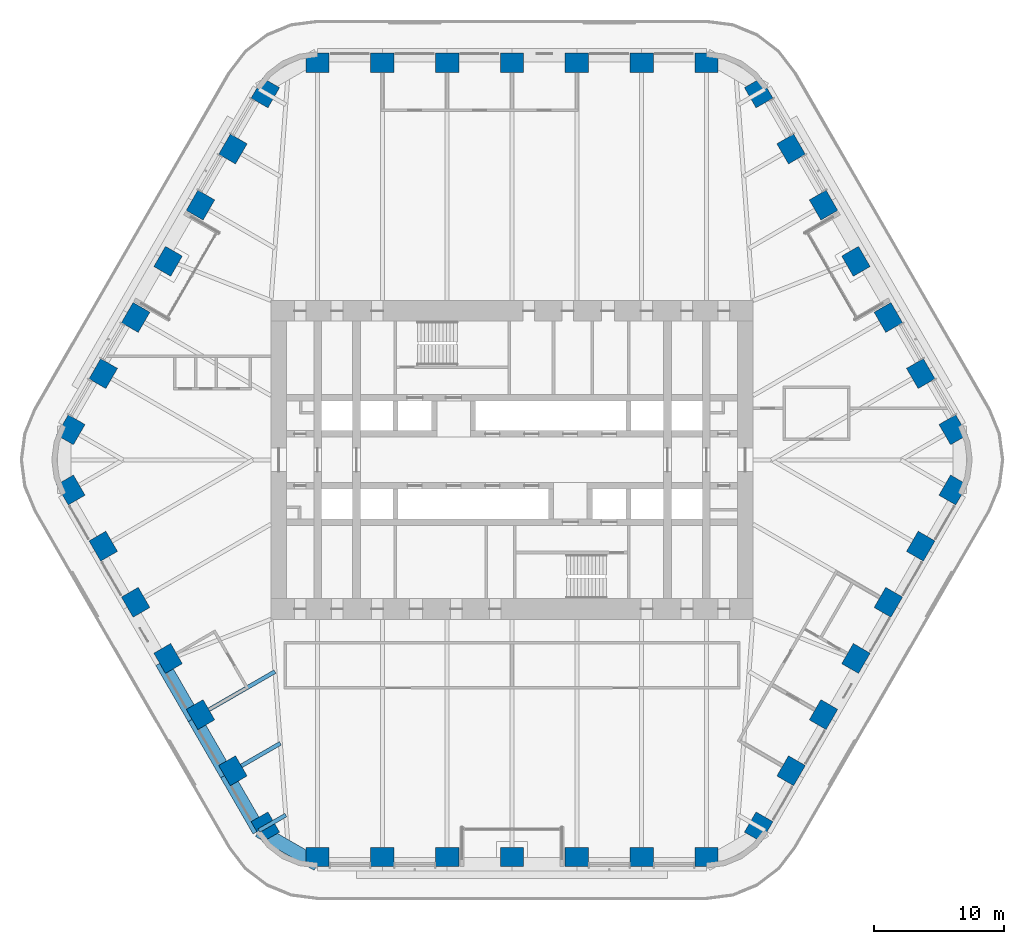
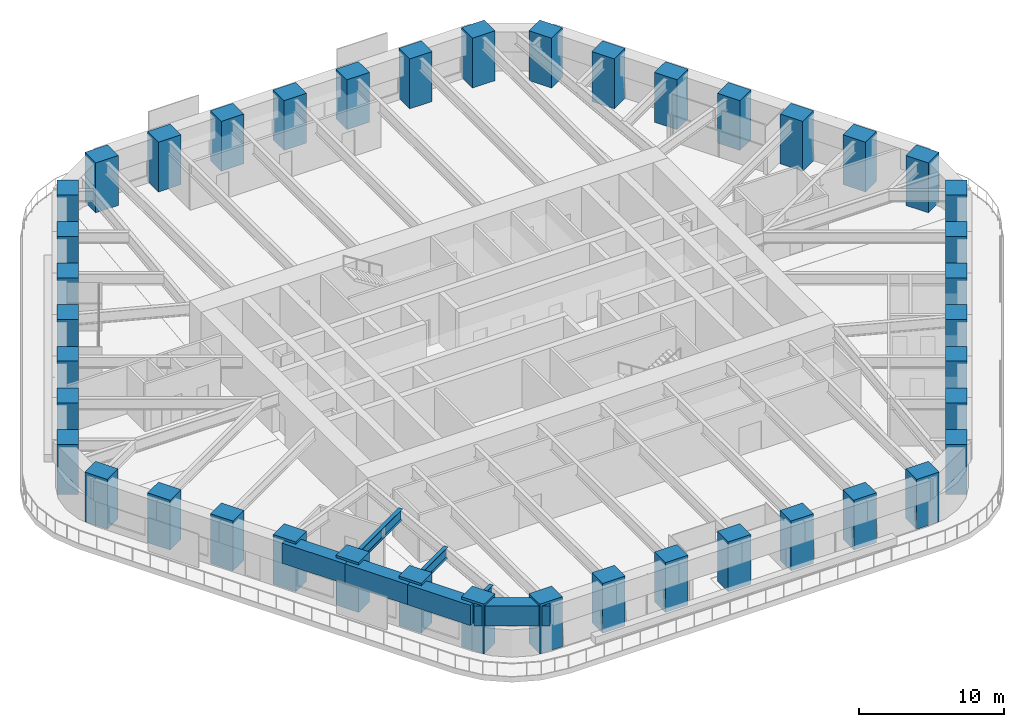
# One storey, part 1 of 24: 42 columns, 7 beams.
"""IFC4 building model written with IfcOpenShell, lengths in metres."""

from ifc_helpers import new_model, si_unit, direction, frame, origin, origin_2d, place, context, subcontext, project, spatial, rectangle, i_section, extrude, material, material_profile, profile_set, type_object, element, save


model = new_model("IFC4")

# Units and contexts
model_context = context("Model", 3, precision=1e-05, world=origin(), true_north=direction((0.0, 1.0)))
body_context = subcontext(model_context, "Body", "Model", "MODEL_VIEW")
ifc_project = project(units=[si_unit("LENGTHUNIT", "METRE"), si_unit("AREAUNIT", "SQUARE_METRE"), si_unit("VOLUMEUNIT", "CUBIC_METRE"), si_unit("PLANEANGLEUNIT", "RADIAN"), si_unit("MASSUNIT", "GRAM", prefix="KILO")], contexts=[model_context])

# Site, building, storey
site_placement = place(None, origin())
site = spatial("IfcSite", under=ifc_project, at=site_placement, CompositionType="ELEMENT")
building_placement = place(site_placement, origin())
building = spatial("IfcBuilding", under=site, at=building_placement, Name="Tarfa Lantern Tower", CompositionType="ELEMENT")
storey_placement = place(building_placement, frame((0.0, 0.0, 127.89990234375)))
storey = spatial("IfcBuildingStorey", under=building, at=storey_placement, Name="L28", CompositionType="ELEMENT", Elevation=127.89990234375)

# Columns
ifc_material_1 = material(Name="Concrete C80/95", Category="concrete")
ifc_material_profile_1 = material_profile(ifc_material_1, rectangle(XDim=1.800048828125, YDim=1.5, at=origin_2d()), Name="RC 1800x1500")
ifc_profile_set_1 = profile_set([ifc_material_profile_1], Name="Concrete C80/95")
column_type = type_object("IfcColumnType", Name="TC5 RC 1800x1500", PredefinedType="COLUMN", material=ifc_profile_set_1)
for number, where, z_axis, x_axis, name in (
    (1, (34.04931640625, 2.324951171875, 0.0), (0.0, 0.0, 1.0), (-0.5, 0.866025403784, 0.0), "Tube column NE0"),
    (2, (31.54736328125, 6.658447265625, 0.0), (0.0, 0.0, 1.0), (-0.5, 0.866025403784, 0.0), "Tube column NE1"),
    (3, (29.04541015625, 10.99169921875, 0.0), (0.0, 0.0, 1.0), (-0.5, 0.866025403784, 0.0), "Tube column NE2"),
    (4, (26.543701171875, 15.324951171875, 0.0), (0.0, 0.0, 1.0), (-0.5, 0.866025403784, 0.0), "Tube column NE3"),
    (5, (24.041748046875, 19.658447265625, 0.0), (0.0, 0.0, 1.0), (-0.5, 0.866025403784, 0.0), "Tube column NE4"),
    (6, (21.5400390625, 23.99169921875, 0.0), (0.0, 0.0, 1.0), (-0.5, 0.866025403784, 0.0), "Tube column NE5"),
    (7, (19.0380859375, 28.324951171875, 0.0), (0.0, 0.0, 1.0), (-0.5, 0.866025403784, 0.0), "Tube column NE6"),
    (8, (15.010986328125, 30.64990234375, 0.0), (0.0, 0.0, 1.0), (-1.0, 0.0, 0.0), "Tube column N0"),
    (9, (10.00732421875, 30.64990234375, 0.0), (0.0, 0.0, 1.0), (-1.0, 0.0, 0.0), "Tube column N1"),
    (10, (5.003662109375, 30.64990234375, 0.0), (0.0, 0.0, 1.0), (-1.0, 0.0, 0.0), "Tube column N2"),
    (11, (0.0, 30.64990234375, 0.0), (0.0, 0.0, 1.0), (-1.0, 0.0, 0.0), "Tube column N3"),
    (12, (-5.003662109375, 30.64990234375, 0.0), (0.0, 0.0, 1.0), (-1.0, 0.0, 0.0), "Tube column N4"),
    (13, (-10.00732421875, 30.64990234375, 0.0), (0.0, 0.0, 1.0), (-1.0, 0.0, 0.0), "Tube column N5"),
    (14, (-15.010986328125, 30.64990234375, 0.0), (0.0, 0.0, 1.0), (-1.0, 0.0, 0.0), "Tube column N6"),
    (15, (-19.0380859375, 28.324951171875, 0.0), (0.0, 0.0, 1.0), (-0.5, -0.866025403784, 0.0), "Tube column NW0"),
    (16, (-21.5400390625, 23.99169921875, 0.0), (0.0, 0.0, 1.0), (-0.5, -0.866025403784, 0.0), "Tube column NW1"),
    (17, (-24.041748046875, 19.658447265625, 0.0), (0.0, 0.0, 1.0), (-0.5, -0.866025403784, 0.0), "Tube column NW2"),
    (18, (-26.543701171875, 15.324951171875, 0.0), (0.0, 0.0, 1.0), (-0.5, -0.866025403784, 0.0), "Tube column NW3"),
    (19, (-29.04541015625, 10.99169921875, 0.0), (0.0, 0.0, 1.0), (-0.5, -0.866025403784, 0.0), "Tube column NW4"),
    (20, (-31.54736328125, 6.658447265625, 0.0), (0.0, 0.0, 1.0), (-0.5, -0.866025403784, 0.0), "Tube column NW5"),
    (21, (-34.04931640625, 2.324951171875, 0.0), (0.0, 0.0, 1.0), (-0.5, -0.866025403784, 0.0), "Tube column NW6"),
    (22, (-34.04931640625, -2.324951171875, 0.0), (0.0, 0.0, 1.0), (0.5, -0.866025403784, 0.0), "Tube column SW0"),
    (23, (-31.54736328125, -6.658447265625, 0.0), (0.0, 0.0, 1.0), (0.5, -0.866025403784, 0.0), "Tube column SW1"),
    (24, (-29.04541015625, -10.99169921875, 0.0), (0.0, 0.0, 1.0), (0.5, -0.866025403784, 0.0), "Tube column SW2"),
    (25, (-26.543701171875, -15.324951171875, 0.0), (0.0, 0.0, 1.0), (0.5, -0.866025403784, 0.0), "Tube column SW3"),
    (26, (-24.041748046875, -19.658447265625, 0.0), (0.0, 0.0, 1.0), (0.5, -0.866025403784, 0.0), "Tube column SW4"),
    (27, (-21.5400390625, -23.99169921875, 0.0), (0.0, 0.0, 1.0), (0.5, -0.866025403784, 0.0), "Tube column SW5"),
    (28, (-19.0380859375, -28.324951171875, 0.0), (0.0, 0.0, 1.0), (0.5, -0.866025403784, 0.0), "Tube column SW6"),
    (29, (-15.010986328125, -30.64990234375, 0.0), (0.0, 0.0, 1.0), (1.0, 0.0, 0.0), "Tube column S0"),
    (30, (-10.00732421875, -30.64990234375, 0.0), (0.0, 0.0, 1.0), (1.0, 0.0, 0.0), "Tube column S1"),
    (31, (-5.003662109375, -30.64990234375, 0.0), (0.0, 0.0, 1.0), (1.0, 0.0, 0.0), "Tube column S2"),
    (32, (0.0, -30.64990234375, 0.0), (0.0, 0.0, 1.0), (1.0, 0.0, 0.0), "Tube column S3"),
    (33, (5.003662109375, -30.64990234375, 0.0), (0.0, 0.0, 1.0), (1.0, 0.0, 0.0), "Tube column S4"),
    (34, (10.00732421875, -30.64990234375, 0.0), (0.0, 0.0, 1.0), (1.0, 0.0, 0.0), "Tube column S5"),
    (35, (15.010986328125, -30.64990234375, 0.0), (0.0, 0.0, 1.0), (1.0, 0.0, 0.0), "Tube column S6"),
    (36, (19.0380859375, -28.324951171875, 0.0), (0.0, 0.0, 1.0), (0.5, 0.866025403784, 0.0), "Tube column SE0"),
    (37, (21.5400390625, -23.99169921875, 0.0), (0.0, 0.0, 1.0), (0.5, 0.866025403784, 0.0), "Tube column SE1"),
    (38, (24.041748046875, -19.658447265625, 0.0), (0.0, 0.0, 1.0), (0.5, 0.866025403784, 0.0), "Tube column SE2"),
    (39, (26.543701171875, -15.324951171875, 0.0), (0.0, 0.0, 1.0), (0.5, 0.866025403784, 0.0), "Tube column SE3"),
    (40, (29.04541015625, -10.99169921875, 0.0), (0.0, 0.0, 1.0), (0.5, 0.866025403784, 0.0), "Tube column SE4"),
    (41, (31.54736328125, -6.658447265625, 0.0), (0.0, 0.0, 1.0), (0.5, 0.866025403784, 0.0), "Tube column SE5"),
    (42, (34.04931640625, -2.324951171875, 0.0), (0.0, 0.0, 1.0), (0.5, 0.866025403784, 0.0), "Tube column SE6"),
):
    element("IfcColumn", number, at=place(storey_placement, frame(where, z_axis=z_axis, x_axis=x_axis)), inside=storey, type_object=column_type, Name=name, PredefinedType="COLUMN", context=body_context, shape_type="SweptSolid", body=[
        extrude(rectangle(XDim=1.800048828125, YDim=1.5, at=origin_2d()), origin(), (0.0, 0.0, 1.0), 4.2001953125),
    ])

# Beams
ifc_material_profile_2 = material_profile(ifc_material_1, rectangle(XDim=1.050048828125, YDim=1.699951171875, at=origin_2d()), Name="RC 1050x1700")
ifc_profile_set_2 = profile_set([ifc_material_profile_2], Name="Concrete C80/95")
beam_type_1 = type_object("IfcBeamType", Name="RB2 RC 1050x1700", PredefinedType="BEAM", material=ifc_profile_set_2)
for number, where, z_axis, x_axis, name in (
    (43, (-27.037353515625, -15.610107421875, 3.150146484375), (0.500022324899, -0.866012514114, 0.0), (0.866012514114, 0.500022324899, 0.0), "Edge beam SW3"),
    (44, (-24.535400390625, -19.943359375, 3.150146484375), (0.49998573051, -0.866033642122, 0.0), (0.866033642122, 0.49998573051, 0.0), "Edge beam SW4"),
):
    element("IfcBeam", number, at=place(storey_placement, frame(where, z_axis=z_axis, x_axis=x_axis)), inside=storey, type_object=beam_type_1, Name=name, PredefinedType="BEAM", context=body_context, shape_type="SweptSolid", body=[
        extrude(rectangle(XDim=1.050048828125, YDim=1.699951171875, at=origin_2d()), origin(), (0.0, 0.0, 1.0), 5.003662109375),
    ])
beam_1_placement = place(storey_placement, frame((-22.03369140625, -24.276611328125, 3.150146484375), z_axis=(0.500001197378, -0.866024712477, 0.0), x_axis=(0.866024712477, 0.500001197378, 0.0)))
element("IfcBeam", 45, at=beam_1_placement, inside=storey, type_object=beam_type_1, Name="Edge beam SW5", PredefinedType="BEAM", context=body_context, shape_type="SweptSolid", body=[
    extrude(rectangle(XDim=1.050048828125, YDim=1.699951171875, at=origin_2d()), origin(), (0.0, 0.0, 1.0), 5.00390625),
])
beam_2_placement = place(storey_placement, frame((-19.53173828125, -28.610107421875, 3.150146484375), z_axis=(0.86604150238, -0.499972115377, 0.0), x_axis=(0.499972115377, 0.86604150238, 0.0)))
element("IfcBeam", 46, at=beam_2_placement, inside=storey, type_object=beam_type_1, Name="Edge beam SW6", PredefinedType="BEAM", context=body_context, shape_type="SweptSolid", body=[
    extrude(rectangle(XDim=1.050048828125, YDim=1.699951171875, at=origin_2d()), origin(), (0.0, 0.0, 1.0), 5.219970703125),
])
ifc_material_2 = material(Name="Steel S460M", Category="steel")
ifc_material_profile_3 = material_profile(ifc_material_2, i_section(OverallWidth=0.305419921875, OverallDepth=0.91845703125, WebThickness=0.017333984375, FlangeThickness=0.02783203125, FilletRadius=0.01904296875, at=origin_2d()), Name="UB914x305x253")
ifc_profile_set_3 = profile_set([ifc_material_profile_3], Name="Steel S460M")
beam_type_2 = type_object("IfcBeamType", Name="UB914x305x253", PredefinedType="BEAM", material=ifc_profile_set_3)
beam_3_placement = place(storey_placement, frame((-24.535400390625, -19.943359375, 3.541015625), z_axis=(0.86602647304, 0.499998147991, 0.0), x_axis=(-0.499998147991, 0.86602647304, 0.0)))
element("IfcBeam", 47, at=beam_3_placement, inside=storey, type_object=beam_type_2, Name="Floor beam SW4", PredefinedType="BEAM", context=body_context, shape_type="SweptSolid", body=[
    extrude(i_section(OverallWidth=0.305419921875, OverallDepth=0.91845703125, WebThickness=0.017333984375, FlangeThickness=0.02783203125, FilletRadius=0.01904296875, at=origin_2d()), origin(), (0.0, 0.0, 1.0), 7.20556640625),
])
beam_4_placement = place(storey_placement, frame((-22.03369140625, -24.276611328125, 3.541015625), z_axis=(0.866030550462, 0.499991085587, 0.0), x_axis=(-0.499991085587, 0.866030550462, 0.0)))
element("IfcBeam", 48, at=beam_4_placement, inside=storey, type_object=beam_type_2, Name="Floor beam SW5", PredefinedType="BEAM", context=body_context, shape_type="SweptSolid", body=[
    extrude(i_section(OverallWidth=0.305419921875, OverallDepth=0.91845703125, WebThickness=0.017333984375, FlangeThickness=0.02783203125, FilletRadius=0.01904296875, at=origin_2d()), origin(), (0.0, 0.0, 1.0), 4.798828125),
])
beam_5_placement = place(storey_placement, frame((-19.53173828125, -28.610107421875, 3.541015625), z_axis=(0.865998640954, 0.500046351717, 0.0), x_axis=(-0.500046351717, 0.865998640954, 0.0)))
element("IfcBeam", 49, at=beam_5_placement, inside=storey, type_object=beam_type_2, Name="Floor beam SW6", PredefinedType="BEAM", context=body_context, shape_type="SweptSolid", body=[
    extrude(i_section(OverallWidth=0.305419921875, OverallDepth=0.91845703125, WebThickness=0.017333984375, FlangeThickness=0.02783203125, FilletRadius=0.01904296875, at=origin_2d()), origin(), (0.0, 0.0, 1.0), 2.392333984375),
])

save(model, "model.ifc")
